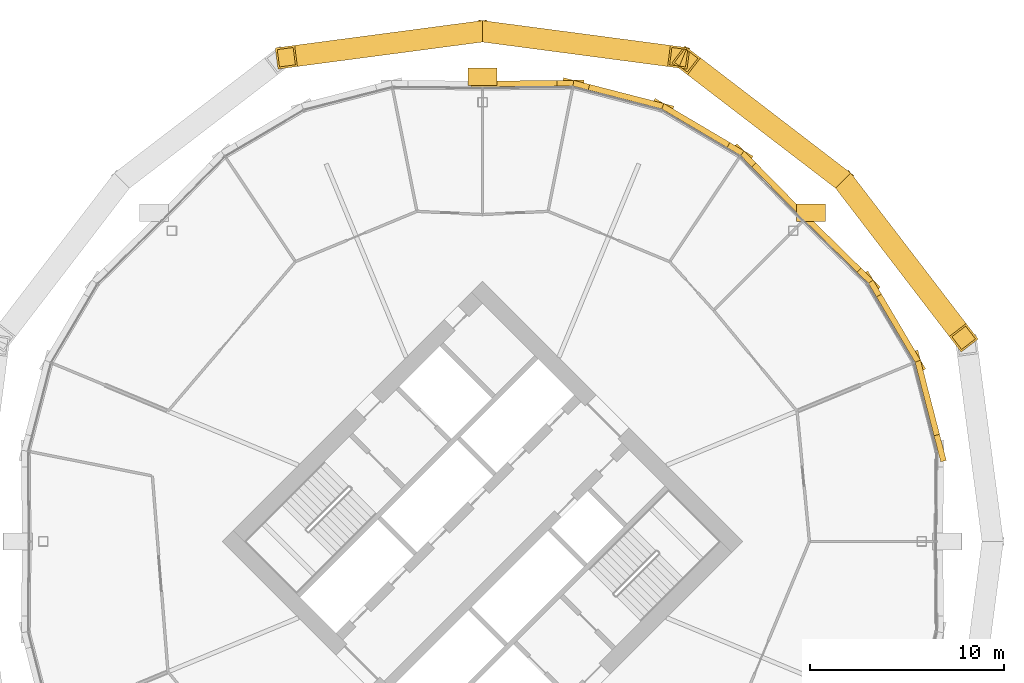
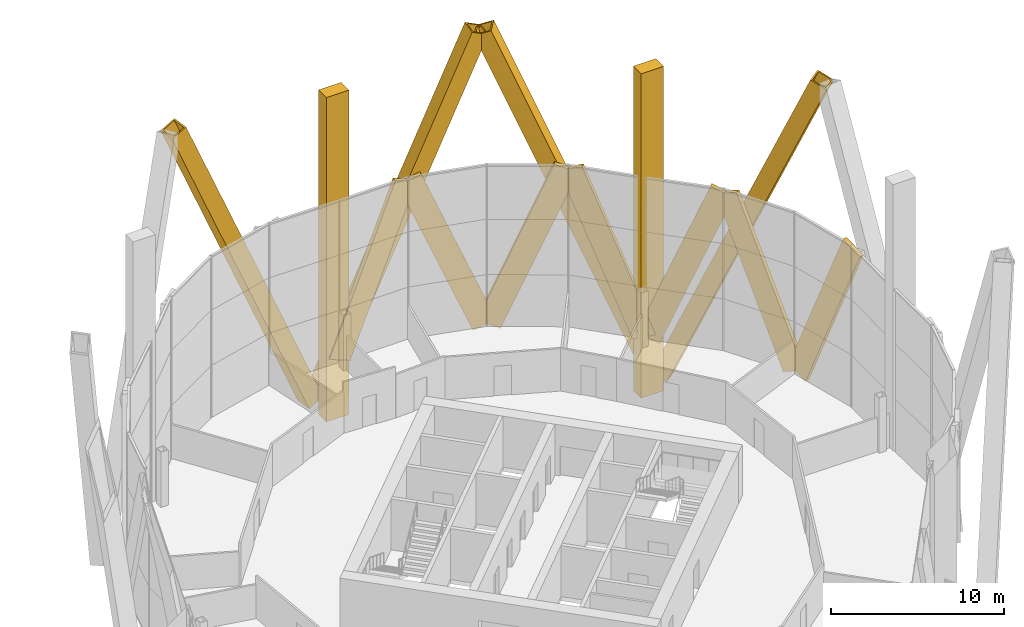
# One storey, part 26 of 26: 13 coverings.
"""IFC4 building model written with IfcOpenShell, lengths in metres."""

from ifc_helpers import new_model, si_unit, direction, frame, origin, origin_2d, place, context, subcontext, project, spatial, rectangle, hollow_rectangle, extrude, material, material_profile, profile_set, type_object, element, save


model = new_model("IFC4")

# Units and contexts
model_context = context("Model", 3, precision=1e-05, world=origin(), true_north=direction((0.0, 1.0)))
body_context = subcontext(model_context, "Body", "Model", "MODEL_VIEW")
ifc_project = project(units=[si_unit("LENGTHUNIT", "METRE"), si_unit("AREAUNIT", "SQUARE_METRE"), si_unit("VOLUMEUNIT", "CUBIC_METRE"), si_unit("PLANEANGLEUNIT", "RADIAN"), si_unit("MASSUNIT", "GRAM", prefix="KILO")], contexts=[model_context])

# Site, building, storey
site_placement = place(None, origin())
site = spatial("IfcSite", under=ifc_project, at=site_placement, CompositionType="ELEMENT")
building_placement = place(site_placement, origin())
building = spatial("IfcBuilding", under=site, at=building_placement, Name="Ogive Gate Towers", CompositionType="ELEMENT")
storey_placement = place(building_placement, frame((0.0, 0.0, 76.199951171875)))
storey = spatial("IfcBuildingStorey", under=building, at=storey_placement, Name="L17", CompositionType="ELEMENT", Elevation=76.199951171875)

# Coverings
ifc_material_1 = material(Name="Pale metal aluminium", Category="aluminium")
ifc_material_profile_1 = material_profile(ifc_material_1, rectangle(XDim=1.5, YDim=0.89990234375, at=origin_2d()), Name="1500 x 900 pale metal aluminium")
ifc_profile_set_1 = profile_set([ifc_material_profile_1], Name="Pale metal aluminium")
covering_type_1 = type_object("IfcCoveringType", Name="Crease colonnette 1500 x 900", PredefinedType="CLADDING", material=ifc_profile_set_1)
for number, where, z_axis, x_axis, name in (
    (1, (52.96337890625, 16.96337890625, -4.099853515625), (-0.000309175006, -0.000309175006, 0.999999904411), (1.0, 0.0, 0.0), "Crease colonnette"),
    (2, (36.0, 23.989990234375, -4.099853515625), (0.0, -0.000437109491, 0.999999904468), (1.0, 0.0, 0.0), "Crease colonnette"),
):
    element("IfcCovering", number, at=place(storey_placement, frame(where, z_axis=z_axis, x_axis=x_axis)), inside=storey, type_object=covering_type_1, Name=name, PredefinedType="CLADDING", context=body_context, shape_type="SweptSolid", body=[
        extrude(rectangle(XDim=1.5, YDim=0.89990234375, at=origin_2d()), origin(), (0.0, 0.0, 1.0), 22.89990234375),
    ])
ifc_material_2 = material(Name="Pale metal aluminium cladding", Category="aluminium")
ifc_material_profile_2 = material_profile(ifc_material_2, hollow_rectangle(XDim=1.10009765625, YDim=1.10009765625, WallThickness=0.10009765625, at=origin_2d()), Name="1100 x 1100 pale metal casing")
ifc_profile_set_2 = profile_set([ifc_material_profile_2], Name="Pale metal aluminium cladding")
covering_type_2 = type_object("IfcCoveringType", Name="Diagrid casing 1100 x 1100", PredefinedType="CLADDING", material=ifc_profile_set_2)
for number, where, z_axis, x_axis, name in (
    (3, (54.75, 18.44580078125, -4.29443359375), (0.239952815267, -0.313039732021, 0.918928056282), (0.793660605623, 0.608360783649, 0.0), "Diagrid casing"),
    (4, (54.44580078125, 18.75, -4.29443359375), (-0.313039732021, 0.239952815267, 0.918928056282), (-0.608360783649, -0.793660605623, 0.0), "Diagrid casing"),
    (5, (36.215087890625, 26.301513671875, -4.29443359375), (0.391020952239, -0.051682082451, 0.918929582321), (0.131032576392, 0.991378063064, 0.0), "Diagrid casing"),
    (6, (35.784912109375, 26.301513671875, -4.29443359375), (-0.391020952239, -0.051682082451, 0.918929582321), (0.131032576392, -0.991378063064, 0.0), "Diagrid casing"),
):
    element("IfcCovering", number, at=place(storey_placement, frame(where, z_axis=z_axis, x_axis=x_axis)), inside=storey, type_object=covering_type_2, Name=name, PredefinedType="CLADDING", context=body_context, shape_type="SweptSolid", body=[
        extrude(hollow_rectangle(XDim=1.10009765625, YDim=1.10009765625, WallThickness=0.10009765625, at=origin_2d()), origin(), (0.0, 0.0, 1.0), 25.34375),
    ])
ifc_material_profile_3 = material_profile(ifc_material_1, rectangle(XDim=0.300048828125, YDim=1.5, at=origin_2d()), Name="1500 x 300 pale metal aluminium")
ifc_profile_set_3 = profile_set([ifc_material_profile_3], Name="Pale metal aluminium")
covering_type_3 = type_object("IfcCoveringType", Name="Facade fin 1500 x 300", PredefinedType="CLADDING", material=ifc_profile_set_3)
for number, where, z_axis, x_axis, name in (
    (7, (58.498291015625, 9.164306640625, 0.032470703125), (0.093946619678, -0.364760457467, 0.926349740281), (0.968396120689, 0.249417227623, 0.0), "Facade fin"),
    (8, (58.388916015625, 9.4287109375, 0.032470703125), (-0.191500636824, 0.324346005819, 0.92635153943), (-0.861110619757, -0.508417643815, 0.0), "Facade fin"),
):
    element("IfcCovering", number, at=place(storey_placement, frame(where, z_axis=z_axis, x_axis=x_axis)), inside=storey, type_object=covering_type_3, Name=name, PredefinedType="CLADDING", context=body_context, shape_type="SweptSolid", body=[
        extrude(rectangle(XDim=0.300048828125, YDim=1.5, at=origin_2d()), origin(), (0.0, 0.0, 1.0), 11.91259765625),
    ])
for number, where, z_axis, x_axis, name in (
    (9, (52.7734375, 16.61767578125, 0.029296875), (0.265778271081, -0.260935492207, 0.928048802341), (0.700575798622, 0.713577991802, 0.0), "Facade fin"),
    (10, (52.61767578125, 16.7734375, 0.029296875), (-0.260935492207, 0.265778271081, 0.928048802341), (-0.713577991802, -0.700575798622, 0.0), "Facade fin"),
):
    element("IfcCovering", number, at=place(storey_placement, frame(where, z_axis=z_axis, x_axis=x_axis)), inside=storey, type_object=covering_type_3, Name=name, PredefinedType="CLADDING", context=body_context, shape_type="SweptSolid", body=[
        extrude(rectangle(XDim=0.300048828125, YDim=1.5, at=origin_2d()), origin(), (0.0, 0.0, 1.0), 11.8974609375),
    ])
for number, where, z_axis, x_axis, name in (
    (11, (45.4287109375, 22.388916015625, 0.032470703125), (0.324346005819, -0.191500636824, 0.92635153943), (0.508417643815, 0.861110619757, 0.0), "Facade fin"),
    (12, (45.164306640625, 22.498291015625, 0.032470703125), (-0.364760457467, 0.093946619678, 0.926349740281), (-0.249417227623, -0.968396120689, 0.0), "Facade fin"),
):
    element("IfcCovering", number, at=place(storey_placement, frame(where, z_axis=z_axis, x_axis=x_axis)), inside=storey, type_object=covering_type_3, Name=name, PredefinedType="CLADDING", context=body_context, shape_type="SweptSolid", body=[
        extrude(rectangle(XDim=0.300048828125, YDim=1.5, at=origin_2d()), origin(), (0.0, 0.0, 1.0), 11.91259765625),
    ])
covering_placement = place(storey_placement, frame((36.110107421875, 23.611083984375, 0.029296875), z_axis=(0.372460246193, 0.003426855882, 0.928041821075), x_axis=(-0.009200205614, 0.999957677213, 0.0)))
element("IfcCovering", 13, at=covering_placement, inside=storey, type_object=covering_type_3, Name="Facade fin", PredefinedType="CLADDING", context=body_context, shape_type="SweptSolid", body=[
    extrude(rectangle(XDim=0.300048828125, YDim=1.5, at=origin_2d()), origin(), (0.0, 0.0, 1.0), 11.897705078125),
])

save(model, "model.ifc")
